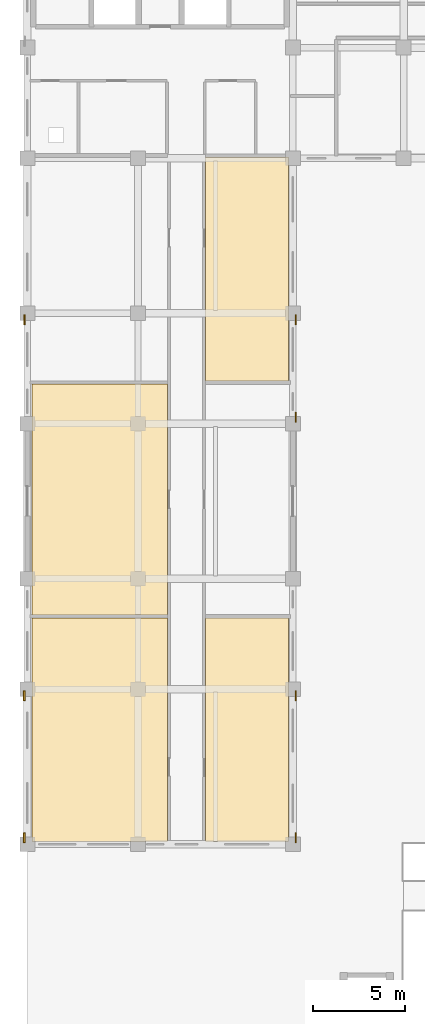
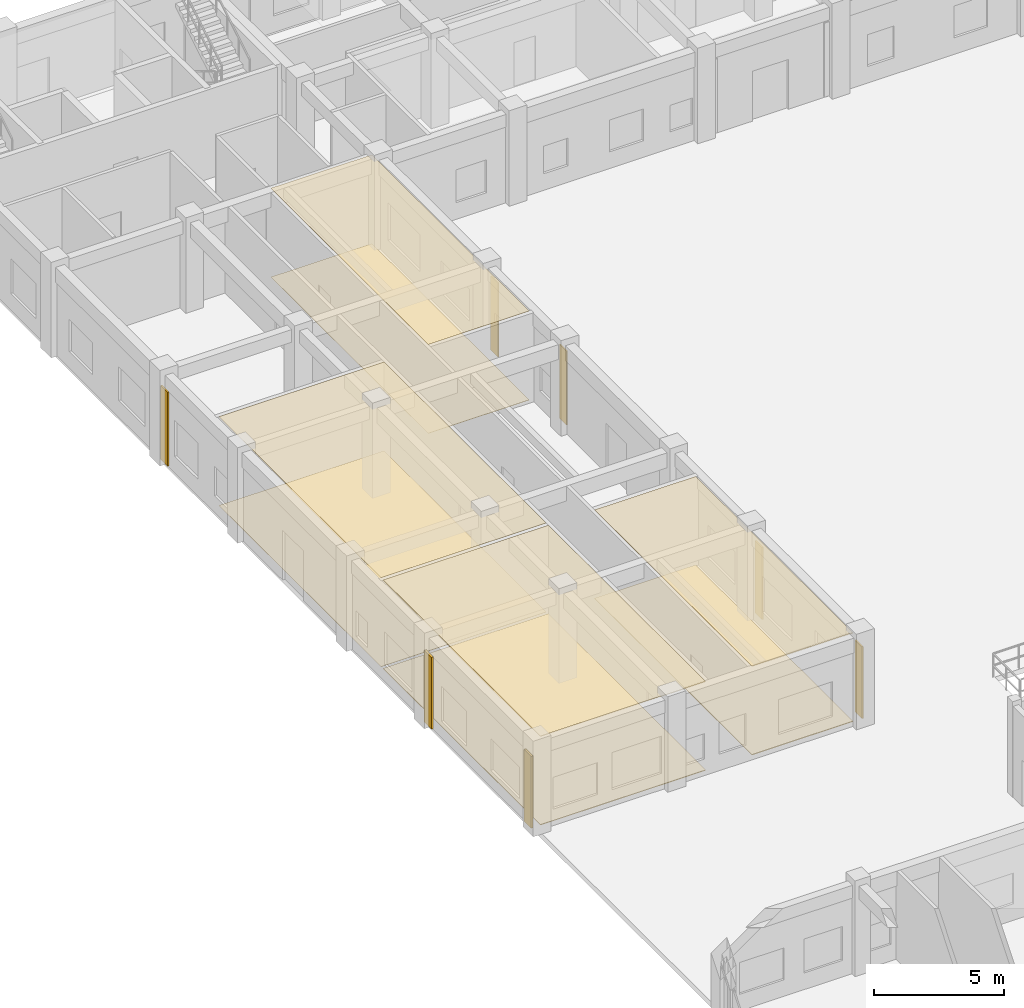
# One storey, part 58 of 67: 15 coverings.
"""IFC4 building model written with IfcOpenShell, lengths in metres."""

from ifc_helpers import new_model, si_unit, direction, frame, origin, origin_2d, place, context, subcontext, project, spatial, polyline, rectangle, outline, extrude, material, layer, layer_set, type_object, element, save


model = new_model("IFC4")

# Units and contexts
model_context = context("Model", 3, precision=1e-05, world=origin(), true_north=direction((0.0, 1.0)))
body_context = subcontext(model_context, "Body", "Model", "MODEL_VIEW")
ifc_project = project(units=[si_unit("LENGTHUNIT", "METRE"), si_unit("AREAUNIT", "SQUARE_METRE"), si_unit("VOLUMEUNIT", "CUBIC_METRE"), si_unit("PLANEANGLEUNIT", "RADIAN"), si_unit("MASSUNIT", "GRAM", prefix="KILO"), si_unit("THERMODYNAMICTEMPERATUREUNIT", "KELVIN")], contexts=[model_context])

# Site, building, storey
site_placement = place(None, origin())
site = spatial("IfcSite", under=ifc_project, at=site_placement, CompositionType="ELEMENT")
building_placement = place(site_placement, origin())
building = spatial("IfcBuilding", under=site, at=building_placement, Name="Thalorik Housing Commons", CompositionType="ELEMENT")
storey_placement = place(building_placement, origin())
storey = spatial("IfcBuildingStorey", under=building, at=storey_placement, Name="L00", CompositionType="ELEMENT", Elevation=0.0)

# Coverings
ifc_material_1 = material(Name="Cobalt blue glazed ceramic facade tile panel", Category="masonry")
ifc_layer_1 = layer(ifc_material_1, 0.06005859375, Name="Cobalt blue glazed ceramic facade tile panel", Category="masonry")
ifc_layer_set_1 = layer_set([ifc_layer_1], Name="Cobalt blue glazed ceramic facade tile panel")
covering_type_1 = type_object("IfcCoveringType", Name="ARC-CLD-BLU-60", PredefinedType="CLADDING", material=ifc_layer_set_1)
covering_1_placement = place(storey_placement, frame((8.24560546875, 100.449951171875, 0.0498046875), z_axis=(0.0, 0.0, 1.0), x_axis=(0.0, -1.0, 0.0)))
element("IfcCovering", 1, at=covering_1_placement, inside=storey, type_object=covering_type_1, Name="L00 Architectural Facade Cladding 14", PredefinedType="CLADDING", context=body_context, shape_type="SweptSolid", body=[
    extrude(rectangle(XDim=0.550048828125, YDim=0.06005859375, at=origin_2d()), origin(), (0.0, 0.0, 1.0), 3.485107421875),
])
ifc_material_2 = material(Name="Precast concrete C40/50", Category="concrete")
ifc_layer_2 = layer(ifc_material_2, 0.090087890625, Name="Precast concrete C40/50", Category="concrete")
ifc_layer_set_2 = layer_set([ifc_layer_2], Name="Precast concrete C40/50")
covering_type_2 = type_object("IfcCoveringType", Name="ARC-CLD-PIER-90", PredefinedType="CLADDING", material=ifc_layer_set_2)
for number, where, z_axis, x_axis, name in (
    (2, (8.23046875, 80.050048828125, 0.0498046875), (0.0, 0.0, 1.0), (0.0, -1.0, 0.0), "L00 Architectural Facade Cladding 15"),
    (3, (8.23046875, 72.35009765625, 0.0498046875), (0.0, 0.0, 1.0), (0.0, -1.0, 0.0), "L00 Architectural Facade Cladding 16"),
):
    element("IfcCovering", number, at=place(storey_placement, frame(where, z_axis=z_axis, x_axis=x_axis)), inside=storey, type_object=covering_type_2, Name=name, PredefinedType="CLADDING", context=body_context, shape_type="SweptSolid", body=[
        extrude(rectangle(XDim=0.550048828125, YDim=0.090087890625, at=origin_2d()), origin(), (0.0, 0.0, 1.0), 3.385009765625),
    ])
ifc_material_3 = material(Name="Terracotta red mineral fibre-cement panel", Category="masonry")
ifc_layer_3 = layer(ifc_material_3, 0.054931640625, Name="Terracotta red mineral fibre-cement panel", Category="masonry")
ifc_layer_set_3 = layer_set([ifc_layer_3], Name="Terracotta red mineral fibre-cement panel")
covering_type_3 = type_object("IfcCoveringType", Name="ARC-CLD-RED-55", PredefinedType="CLADDING", material=ifc_layer_set_3)
for number, where, z_axis, x_axis, name in (
    (4, (22.951904296875, 95.14990234375, 0.0498046875), (0.0, 0.0, 1.0), (0.0, 1.0, 0.0), "L00 Architectural Facade Cladding 19"),
    (5, (22.951904296875, 100.449951171875, 0.0498046875), (0.0, 0.0, 1.0), (0.0, 1.0, 0.0), "L00 Architectural Facade Cladding 20"),
):
    element("IfcCovering", number, at=place(storey_placement, frame(where, z_axis=z_axis, x_axis=x_axis)), inside=storey, type_object=covering_type_3, Name=name, PredefinedType="CLADDING", context=body_context, shape_type="SweptSolid", body=[
        extrude(rectangle(XDim=0.550048828125, YDim=0.054931640625, at=origin_2d()), origin(), (0.0, 0.0, 1.0), 3.485107421875),
    ])
ifc_material_4 = material(Name="Mineral ochre architectural terracotta panel", Category="masonry")
ifc_layer_4 = layer(ifc_material_4, 0.06494140625, Name="Mineral ochre architectural terracotta panel", Category="masonry")
ifc_layer_set_4 = layer_set([ifc_layer_4], Name="Mineral ochre architectural terracotta panel")
covering_type_4 = type_object("IfcCoveringType", Name="ARC-CLD-YEL-65", PredefinedType="CLADDING", material=ifc_layer_set_4)
for number, where, z_axis, x_axis, name in (
    (6, (22.95703125, 72.35009765625, 0.0498046875), (0.0, 0.0, 1.0), (0.0, 1.0, 0.0), "L00 Architectural Facade Cladding 17"),
    (7, (22.95703125, 80.050048828125, 0.0498046875), (0.0, 0.0, 1.0), (0.0, 1.0, 0.0), "L00 Architectural Facade Cladding 18"),
):
    element("IfcCovering", number, at=place(storey_placement, frame(where, z_axis=z_axis, x_axis=x_axis)), inside=storey, type_object=covering_type_4, Name=name, PredefinedType="CLADDING", context=body_context, shape_type="SweptSolid", body=[
        extrude(rectangle(XDim=0.550048828125, YDim=0.06494140625, at=origin_2d()), origin(), (0.0, 0.0, 1.0), 3.385009765625),
    ])
ifc_material_5 = material(Name="Perforated acoustic gypsum ceiling board")
ifc_layer_5 = layer(ifc_material_5, 0.014892578125, Name="Perforated acoustic gypsum ceiling board")
ifc_layer_set_5 = layer_set([ifc_layer_5], Name="Perforated acoustic gypsum ceiling board")
covering_type_5 = type_object("IfcCoveringType", Name="ARC-COV-CEIL-01", PredefinedType="CEILING", material=ifc_layer_set_5)
covering_2_placement = place(storey_placement, frame((0.0, 0.0, 4.18505859375)))
element("IfcCovering", 8, at=covering_2_placement, inside=storey, type_object=covering_type_5, Name="L00 Bicycle Repair Workshop Suspended Ceiling", PredefinedType="CEILING", context=body_context, shape_type="SweptSolid", body=[
    extrude(outline(polyline([(16.0, 96.9599609375), (8.639892578125, 96.9599609375), (8.639892578125, 84.43994140625), (16.0, 84.43994140625), (16.0, 96.9599609375)])), origin(), (0.0, 0.0, 1.0), 0.014892578125),
])
ifc_material_6 = material(Name="Mineral fibre acoustic ceiling tile")
ifc_layer_6 = layer(ifc_material_6, 0.01806640625, Name="Mineral fibre acoustic ceiling tile")
ifc_layer_set_6 = layer_set([ifc_layer_6], Name="Mineral fibre acoustic ceiling tile")
covering_type_6 = type_object("IfcCoveringType", Name="ARC-COV-CEIL-02", PredefinedType="CEILING", material=ifc_layer_set_6)
covering_3_placement = place(storey_placement, frame((0.0, 0.0, 4.181884765625)))
element("IfcCovering", 9, at=covering_3_placement, inside=storey, type_object=covering_type_6, Name="L00 Senior Day Lounge Suspended Ceiling", PredefinedType="CEILING", context=body_context, shape_type="SweptSolid", body=[
    extrude(outline(polyline([(22.56005859375, 109.260009765625), (18.06005859375, 109.260009765625), (18.06005859375, 97.1201171875), (22.56005859375, 97.1201171875), (22.56005859375, 109.260009765625)])), origin(), (0.0, 0.0, 1.0), 0.01806640625),
])
ifc_material_7 = material(Name="Fire-rated calcium silicate corridor ceiling")
ifc_layer_7 = layer(ifc_material_7, 0.030029296875, Name="Fire-rated calcium silicate corridor ceiling")
ifc_layer_set_7 = layer_set([ifc_layer_7], Name="Fire-rated calcium silicate corridor ceiling")
covering_type_7 = type_object("IfcCoveringType", Name="ARC-COV-CEIL-05", PredefinedType="CEILING", material=ifc_layer_set_7)
covering_4_placement = place(storey_placement, frame((0.0, 0.0, 4.169921875)))
element("IfcCovering", 10, at=covering_4_placement, inside=storey, type_object=covering_type_7, Name="L00 Residents Lounge Suspended Ceiling", PredefinedType="CEILING", context=body_context, shape_type="SweptSolid", body=[
    extrude(outline(polyline([(16.0, 84.280029296875), (8.639892578125, 84.280029296875), (8.639892578125, 72.139892578125), (16.0, 72.139892578125), (16.0, 84.280029296875)])), origin(), (0.0, 0.0, 1.0), 0.030029296875),
])
ifc_material_8 = material(Name="Acoustic wood-wool nursery ceiling panel", Category="wood")
ifc_layer_8 = layer(ifc_material_8, 0.035888671875, Name="Acoustic wood-wool nursery ceiling panel", Category="wood")
ifc_layer_set_8 = layer_set([ifc_layer_8], Name="Acoustic wood-wool nursery ceiling panel")
covering_type_8 = type_object("IfcCoveringType", Name="ARC-COV-CEIL-06", PredefinedType="CEILING", material=ifc_layer_set_8)
covering_5_placement = place(storey_placement, frame((0.0, 0.0, 4.1640625)))
element("IfcCovering", 11, at=covering_5_placement, inside=storey, type_object=covering_type_8, Name="L00 Residents Cooperative Library Suspended Ceiling", PredefinedType="CEILING", context=body_context, shape_type="SweptSolid", body=[
    extrude(outline(polyline([(22.56005859375, 84.280029296875), (18.06005859375, 84.280029296875), (18.06005859375, 72.139892578125), (22.56005859375, 72.139892578125), (22.56005859375, 84.280029296875)])), origin(), (0.0, 0.0, 1.0), 0.035888671875),
])
ifc_material_9 = material(Name="Glazed Recife ceramic apartment floor tile")
ifc_layer_9 = layer(ifc_material_9, 0.011962890625, Name="Glazed Recife ceramic apartment floor tile")
ifc_layer_set_9 = layer_set([ifc_layer_9], Name="Glazed Recife ceramic apartment floor tile")
covering_type_9 = type_object("IfcCoveringType", Name="ARC-COV-FLR-01", PredefinedType="FLOORING", material=ifc_layer_set_9)
covering_6_placement = place(storey_placement, origin())
element("IfcCovering", 12, at=covering_6_placement, inside=storey, type_object=covering_type_9, Name="L00 Bicycle Repair Workshop Flooring", PredefinedType="FLOORING", context=body_context, shape_type="SweptSolid", body=[
    extrude(outline(polyline([(16.0, 96.9599609375), (8.639892578125, 96.9599609375), (8.639892578125, 84.43994140625), (16.0, 84.43994140625), (16.0, 96.9599609375)])), origin(), (0.0, 0.0, 1.0), 0.011962890625),
])
ifc_material_10 = material(Name="Slip-resistant quarry terracotta corridor tile", Category="masonry")
ifc_layer_10 = layer(ifc_material_10, 0.01611328125, Name="Slip-resistant quarry terracotta corridor tile", Category="masonry")
ifc_layer_set_10 = layer_set([ifc_layer_10], Name="Slip-resistant quarry terracotta corridor tile")
covering_type_10 = type_object("IfcCoveringType", Name="ARC-COV-FLR-02", PredefinedType="FLOORING", material=ifc_layer_set_10)
covering_7_placement = place(storey_placement, origin())
element("IfcCovering", 13, at=covering_7_placement, inside=storey, type_object=covering_type_10, Name="L00 Senior Day Lounge Flooring", PredefinedType="FLOORING", context=body_context, shape_type="SweptSolid", body=[
    extrude(outline(polyline([(22.56005859375, 109.260009765625), (18.06005859375, 109.260009765625), (18.06005859375, 97.1201171875), (22.56005859375, 97.1201171875), (22.56005859375, 109.260009765625)])), origin(), (0.0, 0.0, 1.0), 0.01611328125),
])
ifc_material_11 = material(Name="Heavy-duty porcelain metro vestibule tile")
ifc_layer_11 = layer(ifc_material_11, 0.028076171875, Name="Heavy-duty porcelain metro vestibule tile")
ifc_layer_set_11 = layer_set([ifc_layer_11], Name="Heavy-duty porcelain metro vestibule tile")
covering_type_11 = type_object("IfcCoveringType", Name="ARC-COV-FLR-05", PredefinedType="FLOORING", material=ifc_layer_set_11)
covering_8_placement = place(storey_placement, origin())
element("IfcCovering", 14, at=covering_8_placement, inside=storey, type_object=covering_type_11, Name="L00 Residents Lounge Flooring", PredefinedType="FLOORING", context=body_context, shape_type="SweptSolid", body=[
    extrude(outline(polyline([(16.0, 84.280029296875), (8.639892578125, 84.280029296875), (8.639892578125, 72.139892578125), (16.0, 72.139892578125), (16.0, 84.280029296875)])), origin(), (0.0, 0.0, 1.0), 0.028076171875),
])
ifc_material_12 = material(Name="Epoxy-sealed concrete plant and bicycle hub finish", Category="concrete")
ifc_layer_12 = layer(ifc_material_12, 0.031982421875, Name="Epoxy-sealed concrete plant and bicycle hub finish", Category="concrete")
ifc_layer_set_12 = layer_set([ifc_layer_12], Name="Epoxy-sealed concrete plant and bicycle hub finish")
covering_type_12 = type_object("IfcCoveringType", Name="ARC-COV-FLR-06", PredefinedType="FLOORING", material=ifc_layer_set_12)
covering_9_placement = place(storey_placement, origin())
element("IfcCovering", 15, at=covering_9_placement, inside=storey, type_object=covering_type_12, Name="L00 Residents Cooperative Library Flooring", PredefinedType="FLOORING", context=body_context, shape_type="SweptSolid", body=[
    extrude(outline(polyline([(22.56005859375, 84.280029296875), (18.06005859375, 84.280029296875), (18.06005859375, 72.139892578125), (22.56005859375, 72.139892578125), (22.56005859375, 84.280029296875)])), origin(), (0.0, 0.0, 1.0), 0.031982421875),
])

save(model, "model.ifc")
